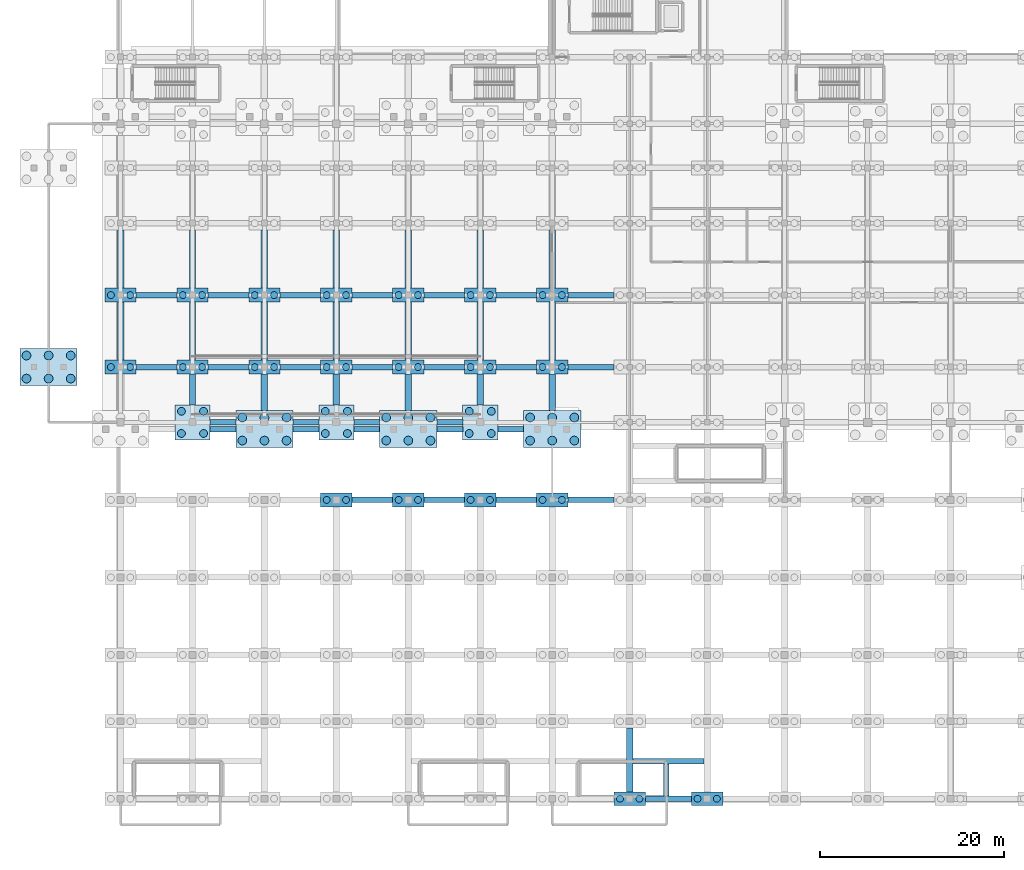
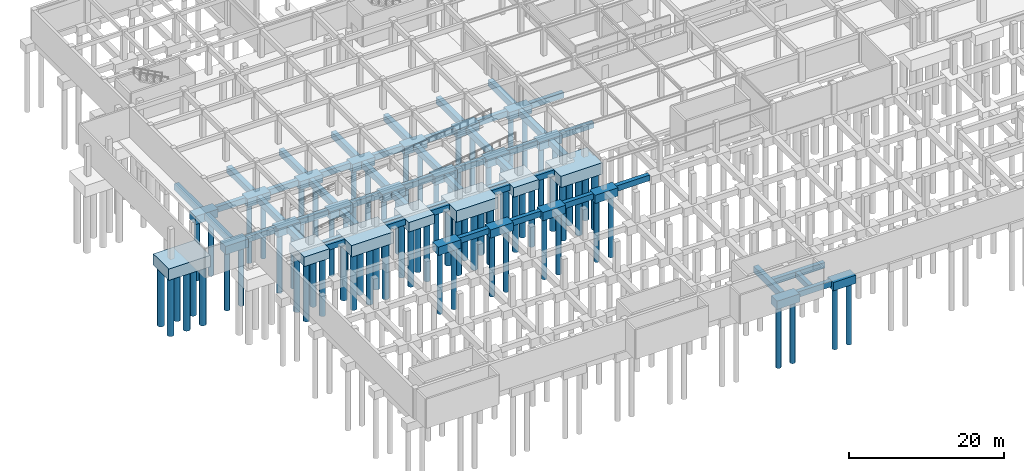
# One storey, part 2 of 26: 78 footings, 76 piles.
"""IFC4 building model written with IfcOpenShell, lengths in metres."""

from ifc_helpers import new_model, si_unit, direction, frame, origin, origin_2d, place, context, subcontext, project, spatial, rectangle, circle, extrude, material, material_profile, profile_set, type_object, element, save


model = new_model("IFC4")

# Units and contexts
model_context = context("Model", 3, precision=1e-05, world=origin(), true_north=direction((0.0, 1.0)))
body_context = subcontext(model_context, "Body", "Model", "MODEL_VIEW")
ifc_project = project(units=[si_unit("LENGTHUNIT", "METRE"), si_unit("AREAUNIT", "SQUARE_METRE"), si_unit("VOLUMEUNIT", "CUBIC_METRE"), si_unit("PLANEANGLEUNIT", "RADIAN"), si_unit("MASSUNIT", "GRAM", prefix="KILO")], contexts=[model_context])

# Site, building, storey
site_placement = place(None, origin())
site = spatial("IfcSite", under=ifc_project, at=site_placement, CompositionType="ELEMENT")
building_placement = place(site_placement, origin())
building = spatial("IfcBuilding", under=site, at=building_placement, Name="Tizgana Railside Sports Hall", CompositionType="ELEMENT")
storey_placement = place(building_placement, frame((0.0, 0.0, -4.800048828125)))
storey = spatial("IfcBuildingStorey", under=building, at=storey_placement, Name="B1", CompositionType="ELEMENT", Elevation=-4.800048828125)

# Piles
ifc_material = material(Name="Concrete C35/45", Category="concrete")
ifc_material_profile_1 = material_profile(ifc_material, circle(Radius=0.375, at=origin_2d()), Name="PILE D750")
ifc_profile_set_1 = profile_set([ifc_material_profile_1], Name="Concrete C35/45")
pile_type_1 = type_object("IfcPileType", Name="Bored Pile D750", PredefinedType="BORED", material=ifc_profile_set_1)
for number, where, z_axis, x_axis, name in (
    (1, (6.75, 46.800048828125, -1.619873046875), (0.0, 0.0, -1.0), (1.0, 0.0, 0.0), "B1 PIL-0035"),
    (2, (8.85009765625, 46.800048828125, -1.619873046875), (0.0, 0.0, -1.0), (1.0, 0.0, 0.0), "B1 PIL-0036"),
    (3, (6.75, 54.60009765625, -1.619873046875), (0.0, 0.0, -1.0), (1.0, 0.0, 0.0), "B1 PIL-0037"),
    (4, (8.85009765625, 54.60009765625, -1.619873046875), (0.0, 0.0, -1.0), (1.0, 0.0, 0.0), "B1 PIL-0038"),
    (5, (14.550048828125, 46.800048828125, -1.619873046875), (0.0, 0.0, -1.0), (1.0, 0.0, 0.0), "B1 PIL-0063"),
    (6, (16.64990234375, 46.800048828125, -1.619873046875), (0.0, 0.0, -1.0), (1.0, 0.0, 0.0), "B1 PIL-0064"),
    (7, (14.550048828125, 54.60009765625, -1.619873046875), (0.0, 0.0, -1.0), (1.0, 0.0, 0.0), "B1 PIL-0065"),
    (8, (16.64990234375, 54.60009765625, -1.619873046875), (0.0, 0.0, -1.0), (1.0, 0.0, 0.0), "B1 PIL-0066"),
    (9, (22.35009765625, 46.800048828125, -1.619873046875), (0.0, 0.0, -1.0), (1.0, 0.0, 0.0), "B1 PIL-0103"),
    (10, (24.449951171875, 46.800048828125, -1.619873046875), (0.0, 0.0, -1.0), (1.0, 0.0, 0.0), "B1 PIL-0104"),
    (11, (22.35009765625, 54.60009765625, -1.619873046875), (0.0, 0.0, -1.0), (1.0, 0.0, 0.0), "B1 PIL-0105"),
    (12, (24.449951171875, 54.60009765625, -1.619873046875), (0.0, 0.0, -1.0), (1.0, 0.0, 0.0), "B1 PIL-0106"),
):
    element("IfcPile", number, at=place(storey_placement, frame(where, z_axis=z_axis, x_axis=x_axis)), inside=storey, type_object=pile_type_1, Name=name, PredefinedType="BORED", context=body_context, shape_type="SweptSolid", body=[
        extrude(circle(Radius=0.375, at=origin_2d()), origin(), (0.0, 0.0, 1.0), 9.3798828125),
    ])
for number, where, z_axis, x_axis, name in (
    (13, (30.14990234375, 32.39990234375, -1.199951171875), (0.0, 0.0, -1.0), (1.0, 0.0, 0.0), "B1 PIL-0125"),
    (14, (32.25, 32.39990234375, -1.199951171875), (0.0, 0.0, -1.0), (1.0, 0.0, 0.0), "B1 PIL-0126"),
):
    element("IfcPile", number, at=place(storey_placement, frame(where, z_axis=z_axis, x_axis=x_axis)), inside=storey, type_object=pile_type_1, Name=name, PredefinedType="BORED", context=body_context, shape_type="SweptSolid", body=[
        extrude(circle(Radius=0.375, at=origin_2d()), origin(), (0.0, 0.0, 1.0), 9.800048828125),
    ])
for number, where, z_axis, x_axis, name in (
    (15, (30.14990234375, 46.800048828125, -1.619873046875), (0.0, 0.0, -1.0), (1.0, 0.0, 0.0), "B1 PIL-0131"),
    (16, (32.25, 46.800048828125, -1.619873046875), (0.0, 0.0, -1.0), (1.0, 0.0, 0.0), "B1 PIL-0132"),
    (17, (30.14990234375, 54.60009765625, -1.619873046875), (0.0, 0.0, -1.0), (1.0, 0.0, 0.0), "B1 PIL-0133"),
    (18, (32.25, 54.60009765625, -1.619873046875), (0.0, 0.0, -1.0), (1.0, 0.0, 0.0), "B1 PIL-0134"),
):
    element("IfcPile", number, at=place(storey_placement, frame(where, z_axis=z_axis, x_axis=x_axis)), inside=storey, type_object=pile_type_1, Name=name, PredefinedType="BORED", context=body_context, shape_type="SweptSolid", body=[
        extrude(circle(Radius=0.375, at=origin_2d()), origin(), (0.0, 0.0, 1.0), 9.3798828125),
    ])
for number, where, z_axis, x_axis, name in (
    (19, (37.949951171875, 32.39990234375, -1.199951171875), (0.0, 0.0, -1.0), (1.0, 0.0, 0.0), "B1 PIL-0169"),
    (20, (40.050048828125, 32.39990234375, -1.199951171875), (0.0, 0.0, -1.0), (1.0, 0.0, 0.0), "B1 PIL-0170"),
):
    element("IfcPile", number, at=place(storey_placement, frame(where, z_axis=z_axis, x_axis=x_axis)), inside=storey, type_object=pile_type_1, Name=name, PredefinedType="BORED", context=body_context, shape_type="SweptSolid", body=[
        extrude(circle(Radius=0.375, at=origin_2d()), origin(), (0.0, 0.0, 1.0), 9.800048828125),
    ])
for number, where, z_axis, x_axis, name in (
    (21, (37.949951171875, 46.800048828125, -1.619873046875), (0.0, 0.0, -1.0), (1.0, 0.0, 0.0), "B1 PIL-0171"),
    (22, (40.050048828125, 46.800048828125, -1.619873046875), (0.0, 0.0, -1.0), (1.0, 0.0, 0.0), "B1 PIL-0172"),
    (23, (37.949951171875, 54.60009765625, -1.619873046875), (0.0, 0.0, -1.0), (1.0, 0.0, 0.0), "B1 PIL-0173"),
    (24, (40.050048828125, 54.60009765625, -1.619873046875), (0.0, 0.0, -1.0), (1.0, 0.0, 0.0), "B1 PIL-0174"),
):
    element("IfcPile", number, at=place(storey_placement, frame(where, z_axis=z_axis, x_axis=x_axis)), inside=storey, type_object=pile_type_1, Name=name, PredefinedType="BORED", context=body_context, shape_type="SweptSolid", body=[
        extrude(circle(Radius=0.375, at=origin_2d()), origin(), (0.0, 0.0, 1.0), 9.3798828125),
    ])
for number, where, z_axis, x_axis, name in (
    (25, (45.75, 32.39990234375, -1.199951171875), (0.0, 0.0, -1.0), (1.0, 0.0, 0.0), "B1 PIL-0189"),
    (26, (47.85009765625, 32.39990234375, -1.199951171875), (0.0, 0.0, -1.0), (1.0, 0.0, 0.0), "B1 PIL-0190"),
):
    element("IfcPile", number, at=place(storey_placement, frame(where, z_axis=z_axis, x_axis=x_axis)), inside=storey, type_object=pile_type_1, Name=name, PredefinedType="BORED", context=body_context, shape_type="SweptSolid", body=[
        extrude(circle(Radius=0.375, at=origin_2d()), origin(), (0.0, 0.0, 1.0), 9.800048828125),
    ])
for number, where, z_axis, x_axis, name in (
    (27, (45.75, 46.800048828125, -1.619873046875), (0.0, 0.0, -1.0), (1.0, 0.0, 0.0), "B1 PIL-0195"),
    (28, (47.85009765625, 46.800048828125, -1.619873046875), (0.0, 0.0, -1.0), (1.0, 0.0, 0.0), "B1 PIL-0196"),
    (29, (45.75, 54.60009765625, -1.619873046875), (0.0, 0.0, -1.0), (1.0, 0.0, 0.0), "B1 PIL-0197"),
    (30, (47.85009765625, 54.60009765625, -1.619873046875), (0.0, 0.0, -1.0), (1.0, 0.0, 0.0), "B1 PIL-0198"),
):
    element("IfcPile", number, at=place(storey_placement, frame(where, z_axis=z_axis, x_axis=x_axis)), inside=storey, type_object=pile_type_1, Name=name, PredefinedType="BORED", context=body_context, shape_type="SweptSolid", body=[
        extrude(circle(Radius=0.375, at=origin_2d()), origin(), (0.0, 0.0, 1.0), 9.3798828125),
    ])
for number, where, z_axis, x_axis, name in (
    (31, (53.550048828125, 32.39990234375, -1.199951171875), (0.0, 0.0, -1.0), (1.0, 0.0, 0.0), "B1 PIL-0229"),
    (32, (55.64990234375, 32.39990234375, -1.199951171875), (0.0, 0.0, -1.0), (1.0, 0.0, 0.0), "B1 PIL-0230"),
):
    element("IfcPile", number, at=place(storey_placement, frame(where, z_axis=z_axis, x_axis=x_axis)), inside=storey, type_object=pile_type_1, Name=name, PredefinedType="BORED", context=body_context, shape_type="SweptSolid", body=[
        extrude(circle(Radius=0.375, at=origin_2d()), origin(), (0.0, 0.0, 1.0), 9.800048828125),
    ])
for number, where, z_axis, x_axis, name in (
    (33, (53.550048828125, 46.800048828125, -1.619873046875), (0.0, 0.0, -1.0), (1.0, 0.0, 0.0), "B1 PIL-0231"),
    (34, (55.64990234375, 46.800048828125, -1.619873046875), (0.0, 0.0, -1.0), (1.0, 0.0, 0.0), "B1 PIL-0232"),
    (35, (53.550048828125, 54.60009765625, -1.619873046875), (0.0, 0.0, -1.0), (1.0, 0.0, 0.0), "B1 PIL-0233"),
    (36, (55.64990234375, 54.60009765625, -1.619873046875), (0.0, 0.0, -1.0), (1.0, 0.0, 0.0), "B1 PIL-0234"),
):
    element("IfcPile", number, at=place(storey_placement, frame(where, z_axis=z_axis, x_axis=x_axis)), inside=storey, type_object=pile_type_1, Name=name, PredefinedType="BORED", context=body_context, shape_type="SweptSolid", body=[
        extrude(circle(Radius=0.375, at=origin_2d()), origin(), (0.0, 0.0, 1.0), 9.3798828125),
    ])
for number, where, z_axis, x_axis, name in (
    (37, (61.949951171875, 0.0, -1.199951171875), (0.0, 0.0, -1.0), (1.0, 0.0, 0.0), "B1 PIL-0243"),
    (38, (64.050048828125, 0.0, -1.199951171875), (0.0, 0.0, -1.0), (1.0, 0.0, 0.0), "B1 PIL-0244"),
    (39, (70.35009765625, 0.0, -1.199951171875), (0.0, 0.0, -1.0), (1.0, 0.0, 0.0), "B1 PIL-0269"),
    (40, (72.449951171875, 0.0, -1.199951171875), (0.0, 0.0, -1.0), (1.0, 0.0, 0.0), "B1 PIL-0270"),
):
    element("IfcPile", number, at=place(storey_placement, frame(where, z_axis=z_axis, x_axis=x_axis)), inside=storey, type_object=pile_type_1, Name=name, PredefinedType="BORED", context=body_context, shape_type="SweptSolid", body=[
        extrude(circle(Radius=0.375, at=origin_2d()), origin(), (0.0, 0.0, 1.0), 9.800048828125),
    ])
ifc_material_profile_2 = material_profile(ifc_material, circle(Radius=0.425048828125, at=origin_2d()), Name="PILE D850")
ifc_profile_set_2 = profile_set([ifc_material_profile_2], Name="Concrete C35/45")
pile_type_2 = type_object("IfcPileType", Name="Bored Pile D850", PredefinedType="BORED", material=ifc_profile_set_2)
for number, where, z_axis, x_axis, name in (
    (41, (14.39990234375, 39.60009765625, -1.820068359375), (0.0, 0.0, -1.0), (1.0, 0.0, 0.0), "B1 PIL-0059"),
    (42, (16.800048828125, 39.60009765625, -1.820068359375), (0.0, 0.0, -1.0), (1.0, 0.0, 0.0), "B1 PIL-0060"),
    (43, (14.39990234375, 42.0, -1.820068359375), (0.0, 0.0, -1.0), (1.0, 0.0, 0.0), "B1 PIL-0061"),
    (44, (16.800048828125, 42.0, -1.820068359375), (0.0, 0.0, -1.0), (1.0, 0.0, 0.0), "B1 PIL-0062"),
    (45, (30.0, 39.60009765625, -1.820068359375), (0.0, 0.0, -1.0), (1.0, 0.0, 0.0), "B1 PIL-0127"),
    (46, (32.39990234375, 39.60009765625, -1.820068359375), (0.0, 0.0, -1.0), (1.0, 0.0, 0.0), "B1 PIL-0128"),
    (47, (30.0, 42.0, -1.820068359375), (0.0, 0.0, -1.0), (1.0, 0.0, 0.0), "B1 PIL-0129"),
    (48, (32.39990234375, 42.0, -1.820068359375), (0.0, 0.0, -1.0), (1.0, 0.0, 0.0), "B1 PIL-0130"),
    (49, (45.60009765625, 39.60009765625, -1.820068359375), (0.0, 0.0, -1.0), (1.0, 0.0, 0.0), "B1 PIL-0191"),
    (50, (48.0, 39.60009765625, -1.820068359375), (0.0, 0.0, -1.0), (1.0, 0.0, 0.0), "B1 PIL-0192"),
    (51, (45.60009765625, 42.0, -1.820068359375), (0.0, 0.0, -1.0), (1.0, 0.0, 0.0), "B1 PIL-0193"),
    (52, (48.0, 42.0, -1.820068359375), (0.0, 0.0, -1.0), (1.0, 0.0, 0.0), "B1 PIL-0194"),
):
    element("IfcPile", number, at=place(storey_placement, frame(where, z_axis=z_axis, x_axis=x_axis)), inside=storey, type_object=pile_type_2, Name=name, PredefinedType="BORED", context=body_context, shape_type="SweptSolid", body=[
        extrude(circle(Radius=0.425048828125, at=origin_2d()), origin(), (0.0, 0.0, 1.0), 9.179931640625),
    ])
ifc_material_profile_3 = material_profile(ifc_material, circle(Radius=0.47509765625, at=origin_2d()), Name="PILE D950")
ifc_profile_set_3 = profile_set([ifc_material_profile_3], Name="Concrete C35/45")
pile_type_3 = type_object("IfcPileType", Name="Bored Pile D950", PredefinedType="BORED", material=ifc_profile_set_3)
for number, where, z_axis, x_axis, name in (
    (53, (-2.39990234375, 45.550048828125, -1.699951171875), (0.0, 0.0, -1.0), (1.0, 0.0, 0.0), "B1 PIL-0001"),
    (54, (-2.39990234375, 48.050048828125, -1.699951171875), (0.0, 0.0, -1.0), (1.0, 0.0, 0.0), "B1 PIL-0002"),
    (55, (0.0, 45.550048828125, -1.699951171875), (0.0, 0.0, -1.0), (1.0, 0.0, 0.0), "B1 PIL-0003"),
    (56, (0.0, 48.050048828125, -1.699951171875), (0.0, 0.0, -1.0), (1.0, 0.0, 0.0), "B1 PIL-0004"),
    (57, (2.39990234375, 45.550048828125, -1.699951171875), (0.0, 0.0, -1.0), (1.0, 0.0, 0.0), "B1 PIL-0005"),
    (58, (2.39990234375, 48.050048828125, -1.699951171875), (0.0, 0.0, -1.0), (1.0, 0.0, 0.0), "B1 PIL-0006"),
):
    element("IfcPile", number, at=place(storey_placement, frame(where, z_axis=z_axis, x_axis=x_axis)), inside=storey, type_object=pile_type_3, Name=name, PredefinedType="BORED", context=body_context, shape_type="SweptSolid", body=[
        extrude(circle(Radius=0.47509765625, at=origin_2d()), origin(), (0.0, 0.0, 1.0), 9.300048828125),
    ])
for number, where, z_axis, x_axis, name in (
    (59, (21.0, 38.830078125, -2.119873046875), (0.0, 0.0, -1.0), (1.0, 0.0, 0.0), "B1 PIL-0081"),
    (60, (21.0, 41.330078125, -2.119873046875), (0.0, 0.0, -1.0), (1.0, 0.0, 0.0), "B1 PIL-0082"),
    (61, (23.39990234375, 38.830078125, -2.119873046875), (0.0, 0.0, -1.0), (1.0, 0.0, 0.0), "B1 PIL-0083"),
    (62, (23.39990234375, 41.330078125, -2.119873046875), (0.0, 0.0, -1.0), (1.0, 0.0, 0.0), "B1 PIL-0084"),
    (63, (25.800048828125, 38.830078125, -2.119873046875), (0.0, 0.0, -1.0), (1.0, 0.0, 0.0), "B1 PIL-0085"),
    (64, (25.800048828125, 41.330078125, -2.119873046875), (0.0, 0.0, -1.0), (1.0, 0.0, 0.0), "B1 PIL-0086"),
    (65, (36.60009765625, 38.830078125, -2.119873046875), (0.0, 0.0, -1.0), (1.0, 0.0, 0.0), "B1 PIL-0149"),
    (66, (36.60009765625, 41.330078125, -2.119873046875), (0.0, 0.0, -1.0), (1.0, 0.0, 0.0), "B1 PIL-0150"),
    (67, (39.0, 38.830078125, -2.119873046875), (0.0, 0.0, -1.0), (1.0, 0.0, 0.0), "B1 PIL-0151"),
    (68, (39.0, 41.330078125, -2.119873046875), (0.0, 0.0, -1.0), (1.0, 0.0, 0.0), "B1 PIL-0152"),
    (69, (41.39990234375, 38.830078125, -2.119873046875), (0.0, 0.0, -1.0), (1.0, 0.0, 0.0), "B1 PIL-0153"),
    (70, (41.39990234375, 41.330078125, -2.119873046875), (0.0, 0.0, -1.0), (1.0, 0.0, 0.0), "B1 PIL-0154"),
    (71, (52.199951171875, 38.830078125, -2.119873046875), (0.0, 0.0, -1.0), (1.0, 0.0, 0.0), "B1 PIL-0209"),
    (72, (52.199951171875, 41.330078125, -2.119873046875), (0.0, 0.0, -1.0), (1.0, 0.0, 0.0), "B1 PIL-0210"),
    (73, (54.60009765625, 38.830078125, -2.119873046875), (0.0, 0.0, -1.0), (1.0, 0.0, 0.0), "B1 PIL-0211"),
    (74, (54.60009765625, 41.330078125, -2.119873046875), (0.0, 0.0, -1.0), (1.0, 0.0, 0.0), "B1 PIL-0212"),
    (75, (57.0, 38.830078125, -2.119873046875), (0.0, 0.0, -1.0), (1.0, 0.0, 0.0), "B1 PIL-0213"),
    (76, (57.0, 41.330078125, -2.119873046875), (0.0, 0.0, -1.0), (1.0, 0.0, 0.0), "B1 PIL-0214"),
):
    element("IfcPile", number, at=place(storey_placement, frame(where, z_axis=z_axis, x_axis=x_axis)), inside=storey, type_object=pile_type_3, Name=name, PredefinedType="BORED", context=body_context, shape_type="SweptSolid", body=[
        extrude(circle(Radius=0.47509765625, at=origin_2d()), origin(), (0.0, 0.0, 1.0), 8.8798828125),
    ])

# Footings
footing_type_1 = type_object("IfcFootingType", Name="Four-Pile Cap 3800x3800x1500", PredefinedType="PILE_CAP", material=ifc_material)
for number, where, z_axis, x_axis, name in (
    (77, (15.60009765625, 40.800048828125, -1.919921875), (0.0, 0.0, 1.0), (1.0, 0.0, 0.0), "B1 FTG-0022"),
    (78, (31.199951171875, 40.800048828125, -1.919921875), (0.0, 0.0, 1.0), (1.0, 0.0, 0.0), "B1 FTG-0050"),
    (79, (46.800048828125, 40.800048828125, -1.919921875), (0.0, 0.0, 1.0), (1.0, 0.0, 0.0), "B1 FTG-0076"),
):
    element("IfcFooting", number, at=place(storey_placement, frame(where, z_axis=z_axis, x_axis=x_axis)), inside=storey, type_object=footing_type_1, Name=name, PredefinedType="PILE_CAP", context=body_context, shape_type="SweptSolid", body=[
        extrude(rectangle(XDim=3.800048828125, YDim=3.800048828125, at=origin_2d()), origin(), (0.0, 0.0, 1.0), 1.5),
    ])
footing_type_2 = type_object("IfcFootingType", Name="Ground Tie Beam 600x900", PredefinedType="FOOTING_BEAM", material=ifc_material)
footing_1_placement = place(storey_placement, frame((67.199951171875, 0.0, -0.89990234375), z_axis=(0.0, 0.0, 1.0), x_axis=(1.0, 0.0, 0.0)))
element("IfcFooting", 80, at=footing_1_placement, inside=storey, type_object=footing_type_2, Name="B1 FTG-0242", PredefinedType="FOOTING_BEAM", context=body_context, shape_type="SweptSolid", body=[
    extrude(rectangle(XDim=5.00390625, YDim=0.60009765625, at=origin_2d()), origin(), (0.0, 0.0, 1.0), 0.89990234375),
])
for number, where, z_axis, x_axis, name in (
    (81, (35.10009765625, 32.39990234375, -0.89990234375), (0.0, 0.0, 1.0), (1.0, 0.0, 0.0), "B1 FTG-0294"),
    (82, (42.89990234375, 32.39990234375, -0.89990234375), (0.0, 0.0, 1.0), (1.0, 0.0, 0.0), "B1 FTG-0295"),
    (83, (50.699951171875, 32.39990234375, -0.89990234375), (0.0, 0.0, 1.0), (1.0, 0.0, 0.0), "B1 FTG-0296"),
):
    element("IfcFooting", number, at=place(storey_placement, frame(where, z_axis=z_axis, x_axis=x_axis)), inside=storey, type_object=footing_type_2, Name=name, PredefinedType="FOOTING_BEAM", context=body_context, shape_type="SweptSolid", body=[
        extrude(rectangle(XDim=4.404052734375, YDim=0.60009765625, at=origin_2d()), origin(), (0.0, 0.0, 1.0), 0.89990234375),
    ])
footing_2_placement = place(storey_placement, frame((58.800048828125, 32.39990234375, -0.89990234375), z_axis=(0.0, 0.0, 1.0), x_axis=(1.0, 0.0, 0.0)))
element("IfcFooting", 84, at=footing_2_placement, inside=storey, type_object=footing_type_2, Name="B1 FTG-0297", PredefinedType="FOOTING_BEAM", context=body_context, shape_type="SweptSolid", body=[
    extrude(rectangle(XDim=5.00390625, YDim=0.60009765625, at=origin_2d()), origin(), (0.0, 0.0, 1.0), 0.89990234375),
])
for number, where, z_axis, x_axis, name in (
    (85, (18.89990234375, 40.080078125, -1.31982421875), (0.0, 0.0, 1.0), (1.0, 0.0, 0.0), "B1 FTG-0306"),
    (86, (27.89990234375, 40.080078125, -1.31982421875), (0.0, 0.0, 1.0), (1.0, 0.0, 0.0), "B1 FTG-0307"),
    (87, (34.5, 40.080078125, -1.31982421875), (0.0, 0.0, 1.0), (1.0, 0.0, 0.0), "B1 FTG-0308"),
    (88, (43.5, 40.080078125, -1.31982421875), (0.0, 0.0, 1.0), (1.0, 0.0, 0.0), "B1 FTG-0309"),
    (89, (50.10009765625, 40.080078125, -1.31982421875), (0.0, 0.0, 1.0), (1.0, 0.0, 0.0), "B1 FTG-0310"),
    (90, (18.89990234375, 40.800048828125, -1.31982421875), (0.0, 0.0, 1.0), (1.0, 0.0, 0.0), "B1 FTG-0313"),
    (91, (27.89990234375, 40.800048828125, -1.31982421875), (0.0, 0.0, 1.0), (1.0, 0.0, 0.0), "B1 FTG-0314"),
    (92, (34.5, 40.800048828125, -1.31982421875), (0.0, 0.0, 1.0), (1.0, 0.0, 0.0), "B1 FTG-0315"),
    (93, (43.5, 40.800048828125, -1.31982421875), (0.0, 0.0, 1.0), (1.0, 0.0, 0.0), "B1 FTG-0316"),
):
    element("IfcFooting", number, at=place(storey_placement, frame(where, z_axis=z_axis, x_axis=x_axis)), inside=storey, type_object=footing_type_2, Name=name, PredefinedType="FOOTING_BEAM", context=body_context, shape_type="SweptSolid", body=[
        extrude(rectangle(XDim=2.803955078125, YDim=0.60009765625, at=origin_2d()), origin(), (0.0, 0.0, 1.0), 0.89990234375),
    ])
for number, where, z_axis, x_axis, name in (
    (94, (11.699951171875, 46.800048828125, -1.31982421875), (0.0, 0.0, 1.0), (1.0, 0.0, 0.0), "B1 FTG-0321"),
    (95, (19.5, 46.800048828125, -1.31982421875), (0.0, 0.0, 1.0), (1.0, 0.0, 0.0), "B1 FTG-0322"),
    (96, (27.300048828125, 46.800048828125, -1.31982421875), (0.0, 0.0, 1.0), (1.0, 0.0, 0.0), "B1 FTG-0323"),
    (97, (35.10009765625, 46.800048828125, -1.31982421875), (0.0, 0.0, 1.0), (1.0, 0.0, 0.0), "B1 FTG-0324"),
    (98, (42.89990234375, 46.800048828125, -1.31982421875), (0.0, 0.0, 1.0), (1.0, 0.0, 0.0), "B1 FTG-0325"),
    (99, (50.699951171875, 46.800048828125, -1.31982421875), (0.0, 0.0, 1.0), (1.0, 0.0, 0.0), "B1 FTG-0326"),
):
    element("IfcFooting", number, at=place(storey_placement, frame(where, z_axis=z_axis, x_axis=x_axis)), inside=storey, type_object=footing_type_2, Name=name, PredefinedType="FOOTING_BEAM", context=body_context, shape_type="SweptSolid", body=[
        extrude(rectangle(XDim=4.404052734375, YDim=0.60009765625, at=origin_2d()), origin(), (0.0, 0.0, 1.0), 0.89990234375),
    ])
footing_3_placement = place(storey_placement, frame((58.800048828125, 46.800048828125, -1.31982421875), z_axis=(0.0, 0.0, 1.0), x_axis=(1.0, 0.0, 0.0)))
element("IfcFooting", 100, at=footing_3_placement, inside=storey, type_object=footing_type_2, Name="B1 FTG-0327", PredefinedType="FOOTING_BEAM", context=body_context, shape_type="SweptSolid", body=[
    extrude(rectangle(XDim=5.00390625, YDim=0.60009765625, at=origin_2d()), origin(), (0.0, 0.0, 1.0), 0.89990234375),
])
for number, where, z_axis, x_axis, name in (
    (101, (11.699951171875, 54.60009765625, -1.31982421875), (0.0, 0.0, 1.0), (1.0, 0.0, 0.0), "B1 FTG-0336"),
    (102, (19.5, 54.60009765625, -1.31982421875), (0.0, 0.0, 1.0), (1.0, 0.0, 0.0), "B1 FTG-0337"),
    (103, (27.300048828125, 54.60009765625, -1.31982421875), (0.0, 0.0, 1.0), (1.0, 0.0, 0.0), "B1 FTG-0338"),
    (104, (35.10009765625, 54.60009765625, -1.31982421875), (0.0, 0.0, 1.0), (1.0, 0.0, 0.0), "B1 FTG-0339"),
    (105, (42.89990234375, 54.60009765625, -1.31982421875), (0.0, 0.0, 1.0), (1.0, 0.0, 0.0), "B1 FTG-0340"),
    (106, (50.699951171875, 54.60009765625, -1.31982421875), (0.0, 0.0, 1.0), (1.0, 0.0, 0.0), "B1 FTG-0341"),
):
    element("IfcFooting", number, at=place(storey_placement, frame(where, z_axis=z_axis, x_axis=x_axis)), inside=storey, type_object=footing_type_2, Name=name, PredefinedType="FOOTING_BEAM", context=body_context, shape_type="SweptSolid", body=[
        extrude(rectangle(XDim=4.404052734375, YDim=0.60009765625, at=origin_2d()), origin(), (0.0, 0.0, 1.0), 0.89990234375),
    ])
footing_4_placement = place(storey_placement, frame((58.800048828125, 54.60009765625, -1.31982421875), z_axis=(0.0, 0.0, 1.0), x_axis=(1.0, 0.0, 0.0)))
element("IfcFooting", 107, at=footing_4_placement, inside=storey, type_object=footing_type_2, Name="B1 FTG-0342", PredefinedType="FOOTING_BEAM", context=body_context, shape_type="SweptSolid", body=[
    extrude(rectangle(XDim=5.00390625, YDim=0.60009765625, at=origin_2d()), origin(), (0.0, 0.0, 1.0), 0.89990234375),
])
footing_5_placement = place(storey_placement, frame((67.199951171875, 4.050048828125, -0.89990234375), z_axis=(0.0, 0.0, 1.0), x_axis=(1.0, 0.0, 0.0)))
element("IfcFooting", 108, at=footing_5_placement, inside=storey, type_object=footing_type_2, Name="B1 FTG-0636", PredefinedType="FOOTING_BEAM", context=body_context, shape_type="SweptSolid", body=[
    extrude(rectangle(XDim=7.7041015625, YDim=0.60009765625, at=origin_2d()), origin(), (0.0, 0.0, 1.0), 0.89990234375),
])
footing_6_placement = place(storey_placement, frame((66.949951171875, 2.02490234375, -0.89990234375), z_axis=(0.0, 0.0, 1.0), x_axis=(0.0, 1.0, 0.0)))
element("IfcFooting", 109, at=footing_6_placement, inside=storey, type_object=footing_type_2, Name="B1 FTG-0650", PredefinedType="FOOTING_BEAM", context=body_context, shape_type="SweptSolid", body=[
    extrude(rectangle(XDim=3.4541015625, YDim=0.60009765625, at=origin_2d()), origin(), (0.0, 0.0, 1.0), 0.89990234375),
])
footing_type_3 = type_object("IfcFootingType", Name="Perimeter Ground Beam 700x1000", PredefinedType="FOOTING_BEAM", material=ifc_material)
for number, where, z_axis, x_axis, name in (
    (110, (7.800048828125, 50.699951171875, -1.419921875), (0.0, 0.0, 1.0), (0.0, 1.0, 0.0), "B1 FTG-0448"),
    (111, (7.800048828125, 58.5, -1.419921875), (0.0, 0.0, 1.0), (0.0, 1.0, 0.0), "B1 FTG-0449"),
):
    element("IfcFooting", number, at=place(storey_placement, frame(where, z_axis=z_axis, x_axis=x_axis)), inside=storey, type_object=footing_type_3, Name=name, PredefinedType="FOOTING_BEAM", context=body_context, shape_type="SweptSolid", body=[
        extrude(rectangle(XDim=6.303955078125, YDim=0.699951171875, at=origin_2d()), origin(), (0.0, 0.0, 1.0), 1.0),
    ])
footing_7_placement = place(storey_placement, frame((15.60009765625, 44.375, -1.419921875), z_axis=(0.0, 0.0, 1.0), x_axis=(0.0, 1.0, 0.0)))
element("IfcFooting", 112, at=footing_7_placement, inside=storey, type_object=footing_type_3, Name="B1 FTG-0458", PredefinedType="FOOTING_BEAM", context=body_context, shape_type="SweptSolid", body=[
    extrude(rectangle(XDim=3.35400390625, YDim=0.699951171875, at=origin_2d()), origin(), (0.0, 0.0, 1.0), 1.0),
])
for number, where, z_axis, x_axis, name in (
    (113, (15.60009765625, 50.699951171875, -1.419921875), (0.0, 0.0, 1.0), (0.0, 1.0, 0.0), "B1 FTG-0459"),
    (114, (15.60009765625, 58.5, -1.419921875), (0.0, 0.0, 1.0), (0.0, 1.0, 0.0), "B1 FTG-0460"),
):
    element("IfcFooting", number, at=place(storey_placement, frame(where, z_axis=z_axis, x_axis=x_axis)), inside=storey, type_object=footing_type_3, Name=name, PredefinedType="FOOTING_BEAM", context=body_context, shape_type="SweptSolid", body=[
        extrude(rectangle(XDim=6.303955078125, YDim=0.699951171875, at=origin_2d()), origin(), (0.0, 0.0, 1.0), 1.0),
    ])
footing_8_placement = place(storey_placement, frame((23.39990234375, 44.06494140625, -1.419921875), z_axis=(0.0, 0.0, 1.0), x_axis=(0.0, 1.0, 0.0)))
element("IfcFooting", 115, at=footing_8_placement, inside=storey, type_object=footing_type_3, Name="B1 FTG-0469", PredefinedType="FOOTING_BEAM", context=body_context, shape_type="SweptSolid", body=[
    extrude(rectangle(XDim=3.97412109375, YDim=0.699951171875, at=origin_2d()), origin(), (0.0, 0.0, 1.0), 1.0),
])
for number, where, z_axis, x_axis, name in (
    (116, (23.39990234375, 50.699951171875, -1.419921875), (0.0, 0.0, 1.0), (0.0, 1.0, 0.0), "B1 FTG-0470"),
    (117, (23.39990234375, 58.5, -1.419921875), (0.0, 0.0, 1.0), (0.0, 1.0, 0.0), "B1 FTG-0471"),
):
    element("IfcFooting", number, at=place(storey_placement, frame(where, z_axis=z_axis, x_axis=x_axis)), inside=storey, type_object=footing_type_3, Name=name, PredefinedType="FOOTING_BEAM", context=body_context, shape_type="SweptSolid", body=[
        extrude(rectangle(XDim=6.303955078125, YDim=0.699951171875, at=origin_2d()), origin(), (0.0, 0.0, 1.0), 1.0),
    ])
footing_9_placement = place(storey_placement, frame((31.199951171875, 44.375, -1.419921875), z_axis=(0.0, 0.0, 1.0), x_axis=(0.0, 1.0, 0.0)))
element("IfcFooting", 118, at=footing_9_placement, inside=storey, type_object=footing_type_3, Name="B1 FTG-0480", PredefinedType="FOOTING_BEAM", context=body_context, shape_type="SweptSolid", body=[
    extrude(rectangle(XDim=3.35400390625, YDim=0.699951171875, at=origin_2d()), origin(), (0.0, 0.0, 1.0), 1.0),
])
for number, where, z_axis, x_axis, name in (
    (119, (31.199951171875, 50.699951171875, -1.419921875), (0.0, 0.0, 1.0), (0.0, 1.0, 0.0), "B1 FTG-0481"),
    (120, (31.199951171875, 58.5, -1.419921875), (0.0, 0.0, 1.0), (0.0, 1.0, 0.0), "B1 FTG-0482"),
):
    element("IfcFooting", number, at=place(storey_placement, frame(where, z_axis=z_axis, x_axis=x_axis)), inside=storey, type_object=footing_type_3, Name=name, PredefinedType="FOOTING_BEAM", context=body_context, shape_type="SweptSolid", body=[
        extrude(rectangle(XDim=6.303955078125, YDim=0.699951171875, at=origin_2d()), origin(), (0.0, 0.0, 1.0), 1.0),
    ])
footing_10_placement = place(storey_placement, frame((39.0, 44.06494140625, -1.419921875), z_axis=(0.0, 0.0, 1.0), x_axis=(0.0, 1.0, 0.0)))
element("IfcFooting", 121, at=footing_10_placement, inside=storey, type_object=footing_type_3, Name="B1 FTG-0491", PredefinedType="FOOTING_BEAM", context=body_context, shape_type="SweptSolid", body=[
    extrude(rectangle(XDim=3.97412109375, YDim=0.699951171875, at=origin_2d()), origin(), (0.0, 0.0, 1.0), 1.0),
])
for number, where, z_axis, x_axis, name in (
    (122, (39.0, 50.699951171875, -1.419921875), (0.0, 0.0, 1.0), (0.0, 1.0, 0.0), "B1 FTG-0492"),
    (123, (39.0, 58.5, -1.419921875), (0.0, 0.0, 1.0), (0.0, 1.0, 0.0), "B1 FTG-0493"),
):
    element("IfcFooting", number, at=place(storey_placement, frame(where, z_axis=z_axis, x_axis=x_axis)), inside=storey, type_object=footing_type_3, Name=name, PredefinedType="FOOTING_BEAM", context=body_context, shape_type="SweptSolid", body=[
        extrude(rectangle(XDim=6.303955078125, YDim=0.699951171875, at=origin_2d()), origin(), (0.0, 0.0, 1.0), 1.0),
    ])
footing_11_placement = place(storey_placement, frame((46.800048828125, 44.375, -1.419921875), z_axis=(0.0, 0.0, 1.0), x_axis=(0.0, 1.0, 0.0)))
element("IfcFooting", 124, at=footing_11_placement, inside=storey, type_object=footing_type_3, Name="B1 FTG-0501", PredefinedType="FOOTING_BEAM", context=body_context, shape_type="SweptSolid", body=[
    extrude(rectangle(XDim=3.35400390625, YDim=0.699951171875, at=origin_2d()), origin(), (0.0, 0.0, 1.0), 1.0),
])
for number, where, z_axis, x_axis, name in (
    (125, (46.800048828125, 50.699951171875, -1.419921875), (0.0, 0.0, 1.0), (0.0, 1.0, 0.0), "B1 FTG-0502"),
    (126, (46.800048828125, 58.5, -1.419921875), (0.0, 0.0, 1.0), (0.0, 1.0, 0.0), "B1 FTG-0503"),
):
    element("IfcFooting", number, at=place(storey_placement, frame(where, z_axis=z_axis, x_axis=x_axis)), inside=storey, type_object=footing_type_3, Name=name, PredefinedType="FOOTING_BEAM", context=body_context, shape_type="SweptSolid", body=[
        extrude(rectangle(XDim=6.303955078125, YDim=0.699951171875, at=origin_2d()), origin(), (0.0, 0.0, 1.0), 1.0),
    ])
footing_12_placement = place(storey_placement, frame((54.60009765625, 44.06494140625, -1.419921875), z_axis=(0.0, 0.0, 1.0), x_axis=(0.0, 1.0, 0.0)))
element("IfcFooting", 127, at=footing_12_placement, inside=storey, type_object=footing_type_3, Name="B1 FTG-0511", PredefinedType="FOOTING_BEAM", context=body_context, shape_type="SweptSolid", body=[
    extrude(rectangle(XDim=3.97412109375, YDim=0.699951171875, at=origin_2d()), origin(), (0.0, 0.0, 1.0), 1.0),
])
for number, where, z_axis, x_axis, name in (
    (128, (54.60009765625, 50.699951171875, -1.419921875), (0.0, 0.0, 1.0), (0.0, 1.0, 0.0), "B1 FTG-0512"),
    (129, (54.60009765625, 58.5, -1.419921875), (0.0, 0.0, 1.0), (0.0, 1.0, 0.0), "B1 FTG-0513"),
):
    element("IfcFooting", number, at=place(storey_placement, frame(where, z_axis=z_axis, x_axis=x_axis)), inside=storey, type_object=footing_type_3, Name=name, PredefinedType="FOOTING_BEAM", context=body_context, shape_type="SweptSolid", body=[
        extrude(rectangle(XDim=6.303955078125, YDim=0.699951171875, at=origin_2d()), origin(), (0.0, 0.0, 1.0), 1.0),
    ])
footing_13_placement = place(storey_placement, frame((63.0, 4.199951171875, -1.0), z_axis=(0.0, 0.0, 1.0), x_axis=(0.0, 1.0, 0.0)))
element("IfcFooting", 130, at=footing_13_placement, inside=storey, type_object=footing_type_3, Name="B1 FTG-0518", PredefinedType="FOOTING_BEAM", context=body_context, shape_type="SweptSolid", body=[
    extrude(rectangle(XDim=6.904052734375, YDim=0.699951171875, at=origin_2d()), origin(), (0.0, 0.0, 1.0), 1.0),
])
footing_type_4 = type_object("IfcFootingType", Name="Six-Pile Transfer Cap 6200x4000x1800", PredefinedType="PILE_CAP", material=ifc_material)
for number, where, z_axis, x_axis, name in (
    (131, (0.0, 46.800048828125, -1.7998046875), (0.0, 0.0, 1.0), (1.0, 0.0, 0.0), "B1 FTG-0001"),
    (132, (23.39990234375, 40.080078125, -2.22021484375), (0.0, 0.0, 1.0), (1.0, 0.0, 0.0), "B1 FTG-0031"),
    (133, (39.0, 40.080078125, -2.22021484375), (0.0, 0.0, 1.0), (1.0, 0.0, 0.0), "B1 FTG-0059"),
    (134, (54.60009765625, 40.080078125, -2.22021484375), (0.0, 0.0, 1.0), (1.0, 0.0, 0.0), "B1 FTG-0083"),
):
    element("IfcFooting", number, at=place(storey_placement, frame(where, z_axis=z_axis, x_axis=x_axis)), inside=storey, type_object=footing_type_4, Name=name, PredefinedType="PILE_CAP", context=body_context, shape_type="SweptSolid", body=[
        extrude(rectangle(XDim=6.199951171875, YDim=4.0, at=origin_2d()), origin(), (0.0, 0.0, 1.0), 1.800048828125),
    ])
footing_type_5 = type_object("IfcFootingType", Name="Two-Pile Cap 3400x1500x1300", PredefinedType="PILE_CAP", material=ifc_material)
for number, where, z_axis, x_axis, name in (
    (135, (7.800048828125, 46.800048828125, -1.72021484375), (0.0, 0.0, 1.0), (1.0, 0.0, 0.0), "B1 FTG-0010"),
    (136, (7.800048828125, 54.60009765625, -1.72021484375), (0.0, 0.0, 1.0), (1.0, 0.0, 0.0), "B1 FTG-0011"),
    (137, (15.60009765625, 46.800048828125, -1.72021484375), (0.0, 0.0, 1.0), (1.0, 0.0, 0.0), "B1 FTG-0023"),
    (138, (15.60009765625, 54.60009765625, -1.72021484375), (0.0, 0.0, 1.0), (1.0, 0.0, 0.0), "B1 FTG-0024"),
    (139, (23.39990234375, 46.800048828125, -1.72021484375), (0.0, 0.0, 1.0), (1.0, 0.0, 0.0), "B1 FTG-0038"),
    (140, (23.39990234375, 54.60009765625, -1.72021484375), (0.0, 0.0, 1.0), (1.0, 0.0, 0.0), "B1 FTG-0039"),
    (141, (31.199951171875, 32.39990234375, -1.2998046875), (0.0, 0.0, 1.0), (1.0, 0.0, 0.0), "B1 FTG-0049"),
    (142, (31.199951171875, 46.800048828125, -1.72021484375), (0.0, 0.0, 1.0), (1.0, 0.0, 0.0), "B1 FTG-0051"),
    (143, (31.199951171875, 54.60009765625, -1.72021484375), (0.0, 0.0, 1.0), (1.0, 0.0, 0.0), "B1 FTG-0052"),
    (144, (39.0, 32.39990234375, -1.2998046875), (0.0, 0.0, 1.0), (1.0, 0.0, 0.0), "B1 FTG-0065"),
    (145, (39.0, 46.800048828125, -1.72021484375), (0.0, 0.0, 1.0), (1.0, 0.0, 0.0), "B1 FTG-0066"),
    (146, (39.0, 54.60009765625, -1.72021484375), (0.0, 0.0, 1.0), (1.0, 0.0, 0.0), "B1 FTG-0067"),
    (147, (46.800048828125, 32.39990234375, -1.2998046875), (0.0, 0.0, 1.0), (1.0, 0.0, 0.0), "B1 FTG-0075"),
    (148, (46.800048828125, 46.800048828125, -1.72021484375), (0.0, 0.0, 1.0), (1.0, 0.0, 0.0), "B1 FTG-0077"),
    (149, (46.800048828125, 54.60009765625, -1.72021484375), (0.0, 0.0, 1.0), (1.0, 0.0, 0.0), "B1 FTG-0078"),
    (150, (54.60009765625, 32.39990234375, -1.2998046875), (0.0, 0.0, 1.0), (1.0, 0.0, 0.0), "B1 FTG-0089"),
    (151, (54.60009765625, 46.800048828125, -1.72021484375), (0.0, 0.0, 1.0), (1.0, 0.0, 0.0), "B1 FTG-0090"),
    (152, (54.60009765625, 54.60009765625, -1.72021484375), (0.0, 0.0, 1.0), (1.0, 0.0, 0.0), "B1 FTG-0091"),
    (153, (63.0, 0.0, -1.2998046875), (0.0, 0.0, 1.0), (1.0, 0.0, 0.0), "B1 FTG-0096"),
    (154, (71.39990234375, 0.0, -1.2998046875), (0.0, 0.0, 1.0), (1.0, 0.0, 0.0), "B1 FTG-0109"),
):
    element("IfcFooting", number, at=place(storey_placement, frame(where, z_axis=z_axis, x_axis=x_axis)), inside=storey, type_object=footing_type_5, Name=name, PredefinedType="PILE_CAP", context=body_context, shape_type="SweptSolid", body=[
        extrude(rectangle(XDim=3.39990234375, YDim=1.5, at=origin_2d()), origin(), (0.0, 0.0, 1.0), 1.300048828125),
    ])

save(model, "model.ifc")
